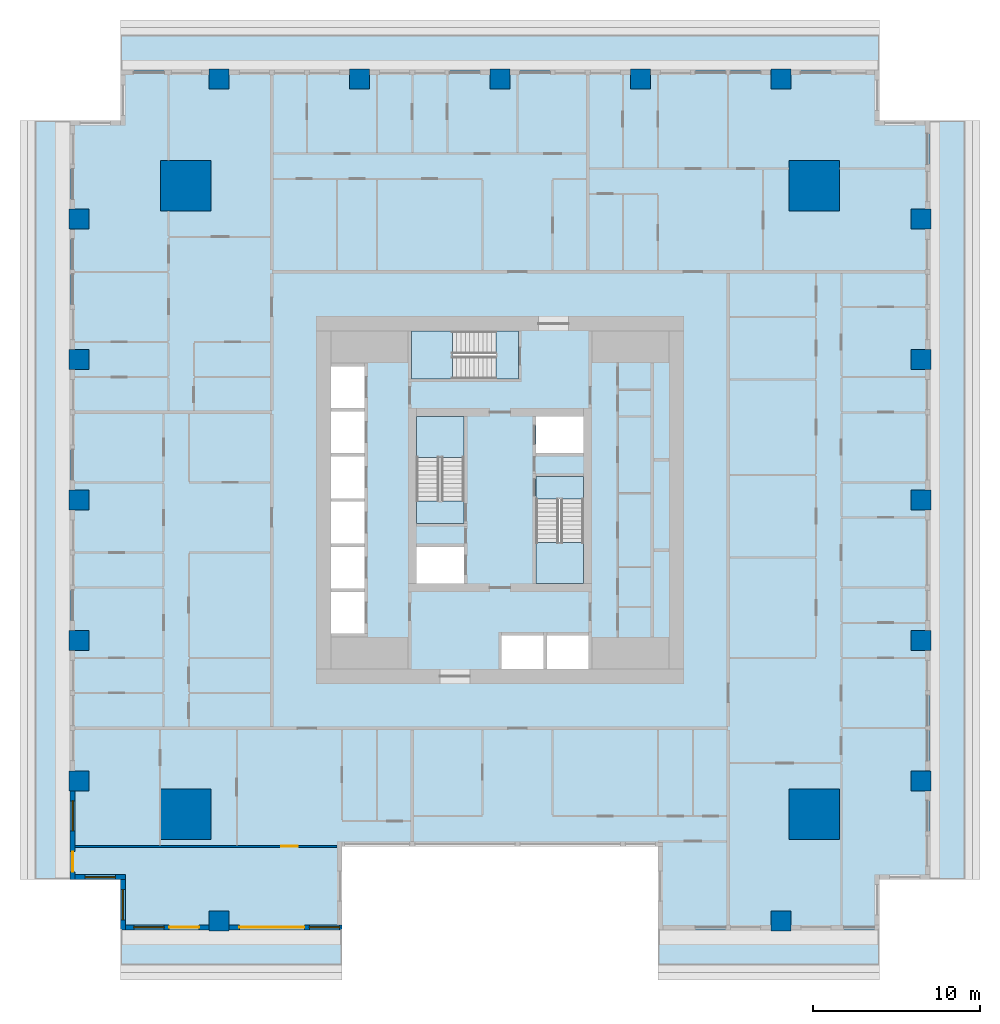
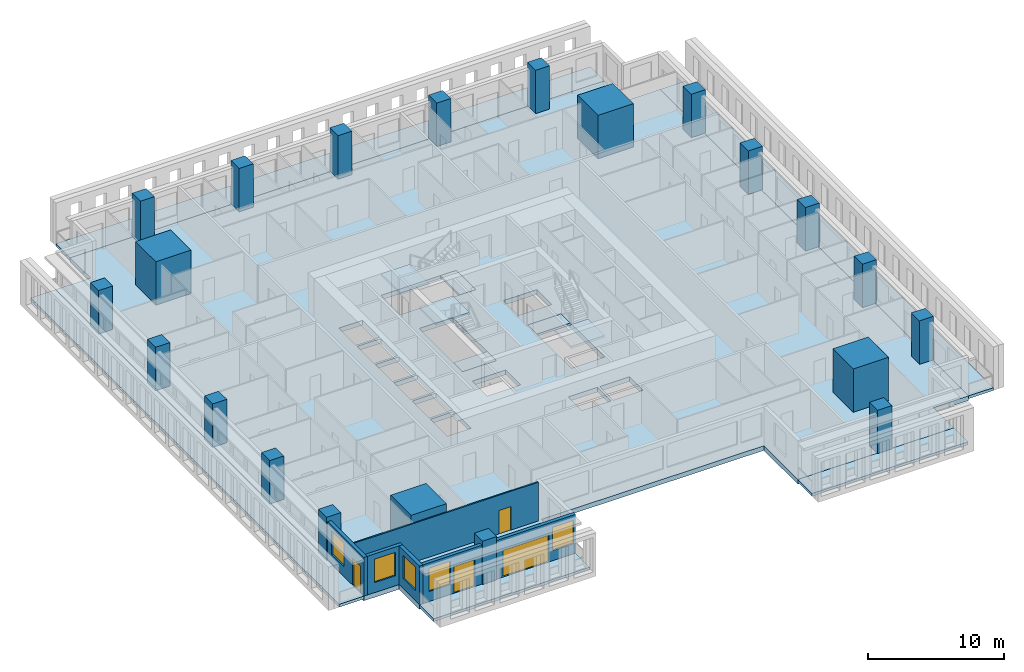
# One storey, part 1 of 15: 21 columns, 12 slabs, 6 walls, 5 windows, 4 doors, 9 openings, 3 elements without a shape of their own.
"""IFC4 building model written with IfcOpenShell, lengths in metres."""

from ifc_helpers import new_model, si_unit, direction, frame, frame_2d, origin, origin_2d, place, context, subcontext, project, spatial, polyline, rectangle, outline, extrude, material, layer, layer_set, material_profile, profile_set, type_object, element, fill, aggregate, save


model = new_model("IFC4")

# Units and contexts
model_context = context("Model", 3, precision=1e-05, world=origin(), true_north=direction((0.0, 1.0)))
body_context = subcontext(model_context, "Body", "Model", "MODEL_VIEW")
ifc_project = project(units=[si_unit("LENGTHUNIT", "METRE"), si_unit("AREAUNIT", "SQUARE_METRE"), si_unit("VOLUMEUNIT", "CUBIC_METRE"), si_unit("PLANEANGLEUNIT", "RADIAN"), si_unit("MASSUNIT", "GRAM", prefix="KILO")], contexts=[model_context])

# Site, building, storey
site_placement = place(None, origin())
site = spatial("IfcSite", under=ifc_project, at=site_placement, CompositionType="ELEMENT")
building_placement = place(site_placement, origin())
building = spatial("IfcBuilding", under=site, at=building_placement, Name="Khepri Terraces", CompositionType="ELEMENT")
storey_placement = place(building_placement, frame((0.0, 0.0, 54.300048828125)))
storey = spatial("IfcBuildingStorey", under=building, at=storey_placement, Name="L12", CompositionType="ELEMENT", Elevation=54.300048828125)

# Columns
ifc_material_1 = material(Name="Concrete C80/95", Category="concrete")
ifc_material_profile_1 = material_profile(ifc_material_1, rectangle(XDim=3.0, YDim=3.0, at=origin_2d()), Name="Concrete C80/95", Category="concrete")
ifc_profile_set_1 = profile_set([ifc_material_profile_1], Name="Concrete C80/95")
column_type_1 = type_object("IfcColumnType", Name="Mega column RC 3000x3000 C80/95", PredefinedType="COLUMN", material=ifc_profile_set_1)
for number, where, z_axis, x_axis, name in (
    (1, (18.800048828125, 18.800048828125, 0.0), (0.0, 0.0, 1.0), (1.0, 0.0, 0.0), "Mega column MEN L12"),
    (2, (18.800048828125, -18.800048828125, 0.0), (0.0, 0.0, 1.0), (1.0, 0.0, 0.0), "Mega column MES L12"),
    (3, (-18.800048828125, 18.800048828125, 0.0), (0.0, 0.0, 1.0), (1.0, 0.0, 0.0), "Mega column MWN L12"),
    (4, (-18.800048828125, -18.800048828125, 0.0), (0.0, 0.0, 1.0), (1.0, 0.0, 0.0), "Mega column MWS L12"),
):
    element("IfcColumn", number, at=place(storey_placement, frame(where, z_axis=z_axis, x_axis=x_axis)), inside=storey, type_object=column_type_1, Name=name, PredefinedType="COLUMN", context=body_context, shape_type="SweptSolid", body=[
        extrude(rectangle(XDim=3.0, YDim=3.0, at=origin_2d()), origin(), (0.0, 0.0, 1.0), 3.89990234375),
    ])
ifc_material_profile_2 = material_profile(ifc_material_1, rectangle(XDim=1.199951171875, YDim=1.199951171875, at=origin_2d()), Name="Concrete C80/95", Category="concrete")
ifc_profile_set_2 = profile_set([ifc_material_profile_2], Name="Concrete C80/95")
column_type_2 = type_object("IfcColumnType", Name="Tower column RC 1200x1200 C80/95", PredefinedType="COLUMN", material=ifc_profile_set_2)
for number, where, z_axis, x_axis, name in (
    (5, (25.199951171875, 0.0, 0.0), (0.0, 0.0, 1.0), (1.0, 0.0, 0.0), "Perimeter column PE+000a L12"),
    (6, (25.199951171875, 8.39990234375, 0.0), (0.0, 0.0, 1.0), (1.0, 0.0, 0.0), "Perimeter column PE+084a L12"),
    (7, (25.199951171875, 16.800048828125, 0.0), (0.0, 0.0, 1.0), (1.0, 0.0, 0.0), "Perimeter column PE+168a L12"),
    (8, (25.199951171875, -8.39990234375, 0.0), (0.0, 0.0, 1.0), (1.0, 0.0, 0.0), "Perimeter column PE-084a L12"),
    (9, (25.199951171875, -16.800048828125, 0.0), (0.0, 0.0, 1.0), (1.0, 0.0, 0.0), "Perimeter column PE-168a L12"),
    (10, (0.0, 25.199951171875, 0.0), (0.0, 0.0, 1.0), (1.0, 0.0, 0.0), "Perimeter column PN+000a L12"),
    (11, (-8.39990234375, 25.199951171875, 0.0), (0.0, 0.0, 1.0), (1.0, 0.0, 0.0), "Perimeter column PN+084a L12"),
    (12, (-16.800048828125, 25.199951171875, 0.0), (0.0, 0.0, 1.0), (1.0, 0.0, 0.0), "Perimeter column PN+168a L12"),
    (13, (8.39990234375, 25.199951171875, 0.0), (0.0, 0.0, 1.0), (1.0, 0.0, 0.0), "Perimeter column PN-084a L12"),
    (14, (16.800048828125, 25.199951171875, 0.0), (0.0, 0.0, 1.0), (1.0, 0.0, 0.0), "Perimeter column PN-168a L12"),
    (15, (16.800048828125, -25.199951171875, 0.0), (0.0, 0.0, 1.0), (1.0, 0.0, 0.0), "Perimeter column PS+168a L12"),
    (16, (-16.800048828125, -25.199951171875, 0.0), (0.0, 0.0, 1.0), (1.0, 0.0, 0.0), "Perimeter column PS-168a L12"),
    (17, (-25.199951171875, 0.0, 0.0), (0.0, 0.0, 1.0), (1.0, 0.0, 0.0), "Perimeter column PW+000a L12"),
    (18, (-25.199951171875, -8.39990234375, 0.0), (0.0, 0.0, 1.0), (1.0, 0.0, 0.0), "Perimeter column PW+084a L12"),
    (19, (-25.199951171875, -16.800048828125, 0.0), (0.0, 0.0, 1.0), (1.0, 0.0, 0.0), "Perimeter column PW+168a L12"),
    (20, (-25.199951171875, 8.39990234375, 0.0), (0.0, 0.0, 1.0), (1.0, 0.0, 0.0), "Perimeter column PW-084a L12"),
    (21, (-25.199951171875, 16.800048828125, 0.0), (0.0, 0.0, 1.0), (1.0, 0.0, 0.0), "Perimeter column PW-168a L12"),
):
    element("IfcColumn", number, at=place(storey_placement, frame(where, z_axis=z_axis, x_axis=x_axis)), inside=storey, type_object=column_type_2, Name=name, PredefinedType="COLUMN", context=body_context, shape_type="SweptSolid", body=[
        extrude(rectangle(XDim=1.199951171875, YDim=1.199951171875, at=origin_2d()), origin(), (0.0, 0.0, 1.0), 3.89990234375),
    ])

# Slabs
ifc_material_2 = material(Name="Concrete C40/50", Category="concrete")
ifc_layer_1 = layer(ifc_material_2, 0.419921875, Name="Concrete C40/50", Category="concrete")
ifc_layer_set_1 = layer_set([ifc_layer_1], Name="Concrete C40/50")
slab_type_1 = type_object("IfcSlabType", Name="Flat plate 420", PredefinedType="FLOOR", material=ifc_layer_set_1)
slab_1_placement = place(storey_placement, frame((0.0, 0.0, -0.420166015625)))
element("IfcSlab", 22, at=slab_1_placement, inside=storey, type_object=slab_type_1, Name="Floor slab F01 L12", PredefinedType="FLOOR", context=body_context, shape_type="SweptSolid", body=[
    extrude(outline(polyline([(22.719970703125, 22.719970703125), (25.719970703125, 22.719970703125), (25.719970703125, -22.719970703125), (22.719970703125, -22.719970703125), (22.719970703125, -25.719970703125), (9.449951171875, -25.719970703125), (9.449951171875, -20.719970703125), (-9.449951171875, -20.719970703125), (-9.449951171875, -25.719970703125), (-22.719970703125, -25.719970703125), (-22.719970703125, -22.719970703125), (-25.719970703125, -22.719970703125), (-25.719970703125, 22.719970703125), (-22.719970703125, 22.719970703125), (-22.719970703125, 25.719970703125), (22.719970703125, 25.719970703125), (22.719970703125, 22.719970703125)]), holes=[polyline([(5.0, 5.0), (2.14990234375, 5.0), (2.14990234375, 2.800048828125), (5.0, 2.800048828125), (5.0, 5.0)]), polyline([(-2.14990234375, -5.0), (-2.14990234375, -2.800048828125), (-5.0, -2.800048828125), (-5.0, -5.0), (-2.14990234375, -5.0)]), polyline([(-10.10009765625, -8.0), (-8.10009765625, -8.0), (-8.10009765625, -5.5), (-10.10009765625, -5.5), (-10.10009765625, -8.0)]), polyline([(-10.10009765625, -2.800048828125), (-10.10009765625, -5.300048828125), (-8.10009765625, -5.300048828125), (-8.10009765625, -2.800048828125), (-10.10009765625, -2.800048828125)]), polyline([(-8.10009765625, -0.10009765625), (-10.10009765625, -0.10009765625), (-10.10009765625, -2.60009765625), (-8.10009765625, -2.60009765625), (-8.10009765625, -0.10009765625)]), polyline([(-8.10009765625, 0.10009765625), (-8.10009765625, 2.60009765625), (-10.10009765625, 2.60009765625), (-10.10009765625, 0.10009765625), (-8.10009765625, 0.10009765625)]), polyline([(-10.10009765625, 2.800048828125), (-8.10009765625, 2.800048828125), (-8.10009765625, 5.300048828125), (-10.10009765625, 5.300048828125), (-10.10009765625, 2.800048828125)]), polyline([(-10.10009765625, 8.0), (-10.10009765625, 5.5), (-8.10009765625, 5.5), (-8.10009765625, 8.0), (-10.10009765625, 8.0)]), polyline([(2.60009765625, -8.10009765625), (0.10009765625, -8.10009765625), (0.10009765625, -10.10009765625), (2.60009765625, -10.10009765625), (2.60009765625, -8.10009765625)]), polyline([(5.300048828125, -10.10009765625), (5.300048828125, -8.10009765625), (2.800048828125, -8.10009765625), (2.800048828125, -10.10009765625), (5.300048828125, -10.10009765625)]), polyline([(-5.0, -1.39990234375), (-2.14990234375, -1.39990234375), (-2.14990234375, 5.0), (-5.0, 5.0), (-5.0, -1.39990234375)]), polyline([(5.0, -5.0), (5.0, 1.39990234375), (2.14990234375, 1.39990234375), (2.14990234375, -5.0), (5.0, -5.0)]), polyline([(-5.300048828125, 10.10009765625), (-5.300048828125, 7.25), (1.10009765625, 7.25), (1.10009765625, 10.10009765625), (-5.300048828125, 10.10009765625)])]), origin(), (0.0, 0.0, 1.0), 0.420166015625),
])
ifc_material_3 = material(Name="Precast concrete C50/60 warm stone", Category="masonry")
ifc_layer_2 = layer(ifc_material_3, 0.25, Name="Precast concrete C50/60 warm stone", Category="masonry")
ifc_layer_set_2 = layer_set([ifc_layer_2], Name="Precast concrete C50/60 warm stone")
slab_type_2 = type_object("IfcSlabType", Name="SLB-BALCONY-250", PredefinedType="FLOOR", material=ifc_layer_set_2)
slab_2_placement = place(storey_placement, frame((0.0, 0.0, -0.25)))
element("IfcSlab", 23, at=slab_2_placement, inside=storey, type_object=slab_type_2, Name="Balcony slab L12 S", PredefinedType="FLOOR", context=body_context, shape_type="SweptSolid", body=[
    extrude(outline(polyline([(-17.39990234375, -25.719970703125), (-22.719970703125, -25.719970703125), (-22.719970703125, -27.820068359375), (-9.449951171875, -27.820068359375), (-9.449951171875, -25.719970703125), (-16.199951171875, -25.719970703125), (-16.199951171875, -25.800048828125), (-17.39990234375, -25.800048828125), (-17.39990234375, -25.719970703125)])), origin(), (0.0, 0.0, 1.0), 0.25),
])
slab_3_placement = place(storey_placement, frame((0.0, 0.0, -0.25)))
element("IfcSlab", 24, at=slab_3_placement, inside=storey, type_object=slab_type_2, Name="Balcony slab L12 S", PredefinedType="FLOOR", context=body_context, shape_type="SweptSolid", body=[
    extrude(outline(polyline([(16.199951171875, -25.719970703125), (9.449951171875, -25.719970703125), (9.449951171875, -27.820068359375), (22.719970703125, -27.820068359375), (22.719970703125, -25.719970703125), (17.39990234375, -25.719970703125), (17.39990234375, -25.800048828125), (16.199951171875, -25.800048828125), (16.199951171875, -25.719970703125)])), origin(), (0.0, 0.0, 1.0), 0.25),
])
slab_4_placement = place(storey_placement, frame((0.0, 0.0, -0.25)))
element("IfcSlab", 25, at=slab_4_placement, inside=storey, type_object=slab_type_2, Name="Balcony slab L12 E", PredefinedType="FLOOR", context=body_context, shape_type="SweptSolid", body=[
    extrude(outline(polyline([(25.719970703125, -17.39990234375), (25.719970703125, -22.719970703125), (27.820068359375, -22.719970703125), (27.820068359375, 22.719970703125), (25.719970703125, 22.719970703125), (25.719970703125, 17.39990234375), (25.800048828125, 17.39990234375), (25.800048828125, 16.199951171875), (25.719970703125, 16.199951171875), (25.719970703125, 9.0), (25.800048828125, 9.0), (25.800048828125, 7.800048828125), (25.719970703125, 7.800048828125), (25.719970703125, 0.60009765625), (25.800048828125, 0.60009765625), (25.800048828125, -0.60009765625), (25.719970703125, -0.60009765625), (25.719970703125, -7.800048828125), (25.800048828125, -7.800048828125), (25.800048828125, -9.0), (25.719970703125, -9.0), (25.719970703125, -16.199951171875), (25.800048828125, -16.199951171875), (25.800048828125, -17.39990234375), (25.719970703125, -17.39990234375)])), origin(), (0.0, 0.0, 1.0), 0.25),
])
slab_5_placement = place(storey_placement, frame((0.0, 0.0, -0.25)))
element("IfcSlab", 26, at=slab_5_placement, inside=storey, type_object=slab_type_2, Name="Balcony slab L12 N", PredefinedType="FLOOR", context=body_context, shape_type="SweptSolid", body=[
    extrude(outline(polyline([(17.39990234375, 25.719970703125), (22.719970703125, 25.719970703125), (22.719970703125, 27.820068359375), (-22.719970703125, 27.820068359375), (-22.719970703125, 25.719970703125), (-17.39990234375, 25.719970703125), (-17.39990234375, 25.800048828125), (-16.199951171875, 25.800048828125), (-16.199951171875, 25.719970703125), (-9.0, 25.719970703125), (-9.0, 25.800048828125), (-7.800048828125, 25.800048828125), (-7.800048828125, 25.719970703125), (-0.60009765625, 25.719970703125), (-0.60009765625, 25.800048828125), (0.60009765625, 25.800048828125), (0.60009765625, 25.719970703125), (7.800048828125, 25.719970703125), (7.800048828125, 25.800048828125), (9.0, 25.800048828125), (9.0, 25.719970703125), (16.199951171875, 25.719970703125), (16.199951171875, 25.800048828125), (17.39990234375, 25.800048828125), (17.39990234375, 25.719970703125)])), origin(), (0.0, 0.0, 1.0), 0.25),
])
slab_6_placement = place(storey_placement, frame((0.0, 0.0, -0.25)))
element("IfcSlab", 27, at=slab_6_placement, inside=storey, type_object=slab_type_2, Name="Balcony slab L12 W", PredefinedType="FLOOR", context=body_context, shape_type="SweptSolid", body=[
    extrude(outline(polyline([(-25.719970703125, 17.39990234375), (-25.719970703125, 22.719970703125), (-27.820068359375, 22.719970703125), (-27.820068359375, -22.719970703125), (-25.719970703125, -22.719970703125), (-25.719970703125, -17.39990234375), (-25.800048828125, -17.39990234375), (-25.800048828125, -16.199951171875), (-25.719970703125, -16.199951171875), (-25.719970703125, -9.0), (-25.800048828125, -9.0), (-25.800048828125, -7.800048828125), (-25.719970703125, -7.800048828125), (-25.719970703125, -0.60009765625), (-25.800048828125, -0.60009765625), (-25.800048828125, 0.60009765625), (-25.719970703125, 0.60009765625), (-25.719970703125, 7.800048828125), (-25.800048828125, 7.800048828125), (-25.800048828125, 9.0), (-25.719970703125, 9.0), (-25.719970703125, 16.199951171875), (-25.800048828125, 16.199951171875), (-25.800048828125, 17.39990234375), (-25.719970703125, 17.39990234375)])), origin(), (0.0, 0.0, 1.0), 0.25),
])

# Stair, slabs
stair_type = type_object("IfcStairType", Name="STAIR-RC-22R", PredefinedType="HALF_TURN_STAIR", material=ifc_material_2)
stair_1_placement = place(storey_placement, origin())
stair_1 = element("IfcStair", 28, at=stair_1_placement, inside=storey, type_object=stair_type, Name="L12 Exit Stair ST-1", PredefinedType="HALF_TURN_STAIR")
ifc_layer_3 = layer(ifc_material_2, 0.199951171875, Name="Concrete C40/50", Category="concrete")
ifc_layer_set_3 = layer_set([ifc_layer_3], Name="Concrete C40/50")
slab_type_3 = type_object("IfcSlabType", Name="SLB-CORE-LANDING", PredefinedType="LANDING", material=ifc_layer_set_3)
slab_7_placement = place(storey_placement, frame((0.0, 0.0, -0.199951171875)))
slab_7 = element("IfcSlab", 29, at=slab_7_placement, type_object=slab_type_3, Name="ST-1 landing 1", PredefinedType="LANDING", context=body_context, shape_type="SweptSolid", body=[
    extrude(outline(polyline([(-2.14990234375, -1.39990234375), (-2.14990234375, -0.050048828125), (-5.0, -0.050048828125), (-5.0, -1.39990234375), (-2.14990234375, -1.39990234375)])), origin(), (0.0, 0.0, 1.0), 0.199951171875),
])
slab_8_placement = place(storey_placement, frame((0.0, 0.0, 1.75)))
slab_8 = element("IfcSlab", 30, at=slab_8_placement, type_object=slab_type_3, Name="ST-1 landing 2", PredefinedType="LANDING", context=body_context, shape_type="SweptSolid", body=[
    extrude(outline(polyline([(-2.14990234375, 2.550048828125), (-2.14990234375, 5.0), (-5.0, 5.0), (-5.0, 2.550048828125), (-2.14990234375, 2.550048828125)])), origin(), (0.0, 0.0, 1.0), 0.199951171875),
])
aggregate(stair_1, [slab_7, slab_8])

stair_2_placement = place(storey_placement, origin())
stair_2 = element("IfcStair", 31, at=stair_2_placement, inside=storey, type_object=stair_type, Name="L12 Exit Stair ST-2", PredefinedType="HALF_TURN_STAIR")
slab_9_placement = place(storey_placement, frame((0.0, 0.0, -0.199951171875)))
slab_9 = element("IfcSlab", 32, at=slab_9_placement, type_object=slab_type_3, Name="ST-2 landing 1", PredefinedType="LANDING", context=body_context, shape_type="SweptSolid", body=[
    extrude(outline(polyline([(2.14990234375, 1.39990234375), (2.14990234375, 0.050048828125), (5.0, 0.050048828125), (5.0, 1.39990234375), (2.14990234375, 1.39990234375)])), origin(), (0.0, 0.0, 1.0), 0.199951171875),
])
slab_10_placement = place(storey_placement, frame((0.0, 0.0, 1.75)))
slab_10 = element("IfcSlab", 33, at=slab_10_placement, type_object=slab_type_3, Name="ST-2 landing 2", PredefinedType="LANDING", context=body_context, shape_type="SweptSolid", body=[
    extrude(outline(polyline([(2.14990234375, -2.550048828125), (2.14990234375, -5.0), (5.0, -5.0), (5.0, -2.550048828125), (2.14990234375, -2.550048828125)])), origin(), (0.0, 0.0, 1.0), 0.199951171875),
])
aggregate(stair_2, [slab_9, slab_10])

stair_3_placement = place(storey_placement, origin())
stair_3 = element("IfcStair", 34, at=stair_3_placement, inside=storey, type_object=stair_type, Name="L12 Exit Stair ST-3", PredefinedType="HALF_TURN_STAIR")
slab_11_placement = place(storey_placement, frame((0.0, 0.0, -0.199951171875)))
slab_11 = element("IfcSlab", 35, at=slab_11_placement, type_object=slab_type_3, Name="ST-3 landing 1", PredefinedType="LANDING", context=body_context, shape_type="SweptSolid", body=[
    extrude(outline(polyline([(1.10009765625, 10.10009765625), (-0.25, 10.10009765625), (-0.25, 7.25), (1.10009765625, 7.25), (1.10009765625, 10.10009765625)])), origin(), (0.0, 0.0, 1.0), 0.199951171875),
])
slab_12_placement = place(storey_placement, frame((0.0, 0.0, 1.75)))
slab_12 = element("IfcSlab", 36, at=slab_12_placement, type_object=slab_type_3, Name="ST-3 landing 2", PredefinedType="LANDING", context=body_context, shape_type="SweptSolid", body=[
    extrude(outline(polyline([(-2.85009765625, 10.10009765625), (-5.300048828125, 10.10009765625), (-5.300048828125, 7.25), (-2.85009765625, 7.25), (-2.85009765625, 10.10009765625)])), origin(), (0.0, 0.0, 1.0), 0.199951171875),
])
aggregate(stair_3, [slab_11, slab_12])

# Wall, openings, door, window
ifc_layer_4 = layer(ifc_material_3, 0.300048828125, Name="Precast concrete C50/60 warm stone", Category="masonry")
ifc_layer_set_4 = layer_set([ifc_layer_4], Name="Precast concrete C50/60 warm stone")
wall_type_1 = type_object("IfcWallType", Name="WL-EXT-PRECAST-300", PredefinedType="STANDARD", material=ifc_layer_set_4)
wall_1_placement = place(storey_placement, frame((-25.570068359375, -17.39990234375, 0.0), z_axis=(0.0, 0.0, 1.0), x_axis=(0.0, -1.0, 0.0)))
wall_1 = element("IfcWall", 37, at=wall_1_placement, inside=storey, type_object=wall_type_1, Name="External wall L12 W", PredefinedType="STANDARD", context=body_context, shape_type="SweptSolid", body=[
    extrude(rectangle(XDim=5.320068359375, YDim=0.300048828125, at=frame_2d((2.66015625, 0.0))), origin(), (0.0, 0.0, 1.0), 3.47998046875),
])
opening_1_placement = place(wall_1_placement, frame((0.60009765625, 0.0, 0.89990234375)))
opening_1 = element("IfcOpeningElement", 38, at=opening_1_placement, cuts=wall_1, Name="Opening W1", PredefinedType="OPENING", context=body_context, shape_type="SweptSolid", body=[
    extrude(rectangle(XDim=1.800048828125, YDim=2.10009765625, at=frame_2d((0.89990234375, 1.050048828125))), frame((0.0, 0.16015625, 0.0), z_axis=(0.0, -1.0, 0.0), x_axis=(1.0, 0.0, 0.0)), (0.0, 0.0, 1.0), 0.320068359375),
])
opening_2_placement = place(wall_1_placement, frame((3.64501953125, 0.0, 0.0)))
opening_2 = element("IfcOpeningElement", 39, at=opening_2_placement, cuts=wall_1, Name="Opening ED-L12-16", PredefinedType="OPENING", context=body_context, shape_type="SweptSolid", body=[
    extrude(rectangle(XDim=1.199951171875, YDim=2.39990234375, at=frame_2d((0.60009765625, 1.199951171875))), frame((0.0, 0.16015625, 0.0), z_axis=(0.0, -1.0, 0.0), x_axis=(1.0, 0.0, 0.0)), (0.0, 0.0, 1.0), 0.320068359375),
])
ifc_material_4 = material(Name="Anodised aluminium bronze glazed door", Category="aluminium")
door_type_1 = type_object("IfcDoorType", Name="DR-BAL-SLIDE-1200x2400", OperationType="NOTDEFINED", PredefinedType="DOOR", material=ifc_material_4)
door_1_placement = place(opening_2_placement, origin())
door_1 = element("IfcDoor", 40, at=door_1_placement, inside=storey, type_object=door_type_1, Name="Balcony door L12 W", OperationType="SLIDING_TO_RIGHT", OverallHeight=2.39990234375, OverallWidth=1.199951171875, PredefinedType="DOOR", context=body_context, shape_type="SweptSolid", body=[
    extrude(rectangle(XDim=1.199951171875, YDim=2.39990234375, at=frame_2d((0.60009765625, 1.199951171875))), frame((0.0, 0.02490234375, 0.0), z_axis=(0.0, -1.0, 0.0), x_axis=(1.0, 0.0, 0.0)), (0.0, 0.0, 1.0), 0.050048828125),
])
fill(opening_2, door_1)
ifc_material_5 = material(Name="Clear glass", Category="glass")
window_type = type_object("IfcWindowType", Name="WIN-RES-1800x2100", PartitioningType="SINGLE_PANEL", PredefinedType="WINDOW", material=ifc_material_5)
window_1_placement = place(opening_1_placement, origin())
window_1 = element("IfcWindow", 41, at=window_1_placement, inside=storey, type_object=window_type, Name="Window L12 W", OverallHeight=2.10009765625, OverallWidth=1.800048828125, PartitioningType="SINGLE_PANEL", PredefinedType="WINDOW", context=body_context, shape_type="SweptSolid", body=[
    extrude(rectangle(XDim=1.800048828125, YDim=2.10009765625, at=frame_2d((0.89990234375, 1.050048828125))), frame((0.0, 0.030029296875, 0.0), z_axis=(0.0, -1.0, 0.0), x_axis=(1.0, 0.0, 0.0)), (0.0, 0.0, 1.0), 0.06005859375),
])
fill(opening_1, window_1)

# Wall, opening, window
wall_2_placement = place(storey_placement, frame((-25.419921875, -22.570068359375, 0.0), z_axis=(0.0, 0.0, 1.0), x_axis=(1.0, 0.0, 0.0)))
wall_2 = element("IfcWall", 42, at=wall_2_placement, inside=storey, type_object=wall_type_1, Name="External wall L12 S", PredefinedType="STANDARD", context=body_context, shape_type="SweptSolid", body=[
    extrude(rectangle(XDim=3.0, YDim=0.300048828125, at=frame_2d((1.5, 0.0))), origin(), (0.0, 0.0, 1.0), 3.47998046875),
])
opening_3_placement = place(wall_2_placement, frame((0.60009765625, 0.0, 0.89990234375)))
opening_3 = element("IfcOpeningElement", 43, at=opening_3_placement, cuts=wall_2, Name="Opening W1", PredefinedType="OPENING", context=body_context, shape_type="SweptSolid", body=[
    extrude(rectangle(XDim=1.800048828125, YDim=2.10009765625, at=frame_2d((0.89990234375, 1.050048828125))), frame((0.0, 0.16015625, 0.0), z_axis=(0.0, -1.0, 0.0), x_axis=(1.0, 0.0, 0.0)), (0.0, 0.0, 1.0), 0.320068359375),
])
window_2_placement = place(opening_3_placement, origin())
window_2 = element("IfcWindow", 44, at=window_2_placement, inside=storey, type_object=window_type, Name="Window L12 S", OverallHeight=2.10009765625, OverallWidth=1.800048828125, PartitioningType="SINGLE_PANEL", PredefinedType="WINDOW", context=body_context, shape_type="SweptSolid", body=[
    extrude(rectangle(XDim=1.800048828125, YDim=2.10009765625, at=frame_2d((0.89990234375, 1.050048828125))), frame((0.0, 0.030029296875, 0.0), z_axis=(0.0, -1.0, 0.0), x_axis=(1.0, 0.0, 0.0)), (0.0, 0.0, 1.0), 0.06005859375),
])
fill(opening_3, window_2)

wall_3_placement = place(storey_placement, frame((-22.570068359375, -22.719970703125, 0.0), z_axis=(0.0, 0.0, 1.0), x_axis=(0.0, -1.0, 0.0)))
wall_3 = element("IfcWall", 45, at=wall_3_placement, inside=storey, type_object=wall_type_1, Name="External wall L12 W", PredefinedType="STANDARD", context=body_context, shape_type="SweptSolid", body=[
    extrude(rectangle(XDim=3.0, YDim=0.300048828125, at=frame_2d((1.5, 0.0))), origin(), (0.0, 0.0, 1.0), 3.47998046875),
])
opening_4_placement = place(wall_3_placement, frame((0.60009765625, 0.0, 0.89990234375)))
opening_4 = element("IfcOpeningElement", 46, at=opening_4_placement, cuts=wall_3, Name="Opening W1", PredefinedType="OPENING", context=body_context, shape_type="SweptSolid", body=[
    extrude(rectangle(XDim=1.800048828125, YDim=2.10009765625, at=frame_2d((0.89990234375, 1.050048828125))), frame((0.0, 0.16015625, 0.0), z_axis=(0.0, -1.0, 0.0), x_axis=(1.0, 0.0, 0.0)), (0.0, 0.0, 1.0), 0.320068359375),
])
window_3_placement = place(opening_4_placement, origin())
window_3 = element("IfcWindow", 47, at=window_3_placement, inside=storey, type_object=window_type, Name="Window L12 W", OverallHeight=2.10009765625, OverallWidth=1.800048828125, PartitioningType="SINGLE_PANEL", PredefinedType="WINDOW", context=body_context, shape_type="SweptSolid", body=[
    extrude(rectangle(XDim=1.800048828125, YDim=2.10009765625, at=frame_2d((0.89990234375, 1.050048828125))), frame((0.0, 0.030029296875, 0.0), z_axis=(0.0, -1.0, 0.0), x_axis=(1.0, 0.0, 0.0)), (0.0, 0.0, 1.0), 0.06005859375),
])
fill(opening_4, window_3)

# Wall, openings, door, window
wall_4_placement = place(storey_placement, frame((-22.419921875, -25.570068359375, 0.0), z_axis=(0.0, 0.0, 1.0), x_axis=(1.0, 0.0, 0.0)))
wall_4 = element("IfcWall", 48, at=wall_4_placement, inside=storey, type_object=wall_type_1, Name="External wall L12 S", PredefinedType="STANDARD", context=body_context, shape_type="SweptSolid", body=[
    extrude(rectangle(XDim=5.02001953125, YDim=0.300048828125, at=frame_2d((2.510009765625, 0.0))), origin(), (0.0, 0.0, 1.0), 3.47998046875),
])
opening_5_placement = place(wall_4_placement, frame((0.52001953125, 0.0, 0.89990234375)))
opening_5 = element("IfcOpeningElement", 49, at=opening_5_placement, cuts=wall_4, Name="Opening W1", PredefinedType="OPENING", context=body_context, shape_type="SweptSolid", body=[
    extrude(rectangle(XDim=1.800048828125, YDim=2.10009765625, at=frame_2d((0.89990234375, 1.050048828125))), frame((0.0, 0.16015625, 0.0), z_axis=(0.0, -1.0, 0.0), x_axis=(1.0, 0.0, 0.0)), (0.0, 0.0, 1.0), 0.320068359375),
])
opening_6_placement = place(wall_4_placement, frame((2.6201171875, 0.0, 0.0)))
opening_6 = element("IfcOpeningElement", 50, at=opening_6_placement, cuts=wall_4, Name="Opening ED-L12-17", PredefinedType="OPENING", context=body_context, shape_type="SweptSolid", body=[
    extrude(rectangle(XDim=1.800048828125, YDim=2.39990234375, at=frame_2d((0.89990234375, 1.199951171875))), frame((0.0, 0.16015625, 0.0), z_axis=(0.0, -1.0, 0.0), x_axis=(1.0, 0.0, 0.0)), (0.0, 0.0, 1.0), 0.320068359375),
])
door_type_2 = type_object("IfcDoorType", Name="DR-BAL-SLIDE-1800x2400", OperationType="NOTDEFINED", PredefinedType="DOOR", material=ifc_material_4)
door_2_placement = place(opening_6_placement, origin())
door_2 = element("IfcDoor", 51, at=door_2_placement, inside=storey, type_object=door_type_2, Name="Balcony door L12 S", OperationType="SLIDING_TO_RIGHT", OverallHeight=2.39990234375, OverallWidth=1.800048828125, PredefinedType="DOOR", context=body_context, shape_type="SweptSolid", body=[
    extrude(rectangle(XDim=1.800048828125, YDim=2.39990234375, at=frame_2d((0.89990234375, 1.199951171875))), frame((0.0, 0.02490234375, 0.0), z_axis=(0.0, -1.0, 0.0), x_axis=(1.0, 0.0, 0.0)), (0.0, 0.0, 1.0), 0.050048828125),
])
fill(opening_6, door_2)
window_4_placement = place(opening_5_placement, origin())
window_4 = element("IfcWindow", 52, at=window_4_placement, inside=storey, type_object=window_type, Name="Window L12 S", OverallHeight=2.10009765625, OverallWidth=1.800048828125, PartitioningType="SINGLE_PANEL", PredefinedType="WINDOW", context=body_context, shape_type="SweptSolid", body=[
    extrude(rectangle(XDim=1.800048828125, YDim=2.10009765625, at=frame_2d((0.89990234375, 1.050048828125))), frame((0.0, 0.030029296875, 0.0), z_axis=(0.0, -1.0, 0.0), x_axis=(1.0, 0.0, 0.0)), (0.0, 0.0, 1.0), 0.06005859375),
])
fill(opening_5, window_4)

wall_5_placement = place(storey_placement, frame((-16.199951171875, -25.570068359375, 0.0), z_axis=(0.0, 0.0, 1.0), x_axis=(1.0, 0.0, 0.0)))
wall_5 = element("IfcWall", 53, at=wall_5_placement, inside=storey, type_object=wall_type_1, Name="External wall L12 S", PredefinedType="STANDARD", context=body_context, shape_type="SweptSolid", body=[
    extrude(rectangle(XDim=6.75, YDim=0.300048828125, at=frame_2d((3.375, 0.0))), origin(), (0.0, 0.0, 1.0), 3.47998046875),
])
opening_7_placement = place(wall_5_placement, frame((0.60009765625, 0.0, 0.0)))
opening_7 = element("IfcOpeningElement", 54, at=opening_7_placement, cuts=wall_5, Name="Opening ED-L12-18", PredefinedType="OPENING", context=body_context, shape_type="SweptSolid", body=[
    extrude(rectangle(XDim=3.89990234375, YDim=2.39990234375, at=frame_2d((1.949951171875, 1.199951171875))), frame((0.0, 0.16015625, 0.0), z_axis=(0.0, -1.0, 0.0), x_axis=(1.0, 0.0, 0.0)), (0.0, 0.0, 1.0), 0.320068359375),
])
opening_8_placement = place(wall_5_placement, frame((4.800048828125, 0.0, 0.89990234375)))
opening_8 = element("IfcOpeningElement", 55, at=opening_8_placement, cuts=wall_5, Name="Opening W1", PredefinedType="OPENING", context=body_context, shape_type="SweptSolid", body=[
    extrude(rectangle(XDim=1.800048828125, YDim=2.10009765625, at=frame_2d((0.89990234375, 1.050048828125))), frame((0.0, 0.16015625, 0.0), z_axis=(0.0, -1.0, 0.0), x_axis=(1.0, 0.0, 0.0)), (0.0, 0.0, 1.0), 0.320068359375),
])
door_type_3 = type_object("IfcDoorType", Name="DR-BAL-SLIDE-3900x2400", OperationType="NOTDEFINED", PredefinedType="DOOR", material=ifc_material_4)
door_3_placement = place(opening_7_placement, origin())
door_3 = element("IfcDoor", 56, at=door_3_placement, inside=storey, type_object=door_type_3, Name="Balcony door L12 S", OperationType="SLIDING_TO_LEFT", OverallHeight=2.39990234375, OverallWidth=3.89990234375, PredefinedType="DOOR", context=body_context, shape_type="SweptSolid", body=[
    extrude(rectangle(XDim=3.89990234375, YDim=2.39990234375, at=frame_2d((1.949951171875, 1.199951171875))), frame((0.0, 0.02490234375, 0.0), z_axis=(0.0, -1.0, 0.0), x_axis=(1.0, 0.0, 0.0)), (0.0, 0.0, 1.0), 0.050048828125),
])
fill(opening_7, door_3)
window_5_placement = place(opening_8_placement, origin())
window_5 = element("IfcWindow", 57, at=window_5_placement, inside=storey, type_object=window_type, Name="Window L12 S", OverallHeight=2.10009765625, OverallWidth=1.800048828125, PartitioningType="SINGLE_PANEL", PredefinedType="WINDOW", context=body_context, shape_type="SweptSolid", body=[
    extrude(rectangle(XDim=1.800048828125, YDim=2.10009765625, at=frame_2d((0.89990234375, 1.050048828125))), frame((0.0, 0.030029296875, 0.0), z_axis=(0.0, -1.0, 0.0), x_axis=(1.0, 0.0, 0.0)), (0.0, 0.0, 1.0), 0.06005859375),
])
fill(opening_8, window_5)

# Wall, opening, door
ifc_material_6 = material(Name="Gypsum plasterboard partition")
ifc_layer_5 = layer(ifc_material_6, 0.1201171875, Name="Gypsum plasterboard partition")
ifc_layer_set_5 = layer_set([ifc_layer_5], Name="Gypsum plasterboard partition")
wall_type_2 = type_object("IfcWallType", Name="WL-PART-120", PredefinedType="PARTITIONING", material=ifc_layer_set_5)
wall_6_placement = place(storey_placement, frame((-25.419921875, -20.719970703125, 0.0), z_axis=(0.0, 0.0, 1.0), x_axis=(1.0, 0.0, 0.0)))
wall_6 = element("IfcWall", 58, at=wall_6_placement, inside=storey, type_object=wall_type_2, Name="Partition P-003 L12", PredefinedType="PARTITIONING", context=body_context, shape_type="SweptSolid", body=[
    extrude(rectangle(XDim=15.669921875, YDim=0.1201171875, at=frame_2d((7.8349609375, 0.0))), origin(), (0.0, 0.0, 1.0), 3.47998046875),
])
opening_9_placement = place(wall_6_placement, frame((12.320068359375, 0.0, 0.0)))
opening_9 = element("IfcOpeningElement", 59, at=opening_9_placement, cuts=wall_6, Name="Opening D2", PredefinedType="OPENING", context=body_context, shape_type="SweptSolid", body=[
    extrude(rectangle(XDim=1.0, YDim=2.10009765625, at=frame_2d((0.5, 1.050048828125))), frame((0.0, 0.070068359375, 0.0), z_axis=(0.0, -1.0, 0.0), x_axis=(1.0, 0.0, 0.0)), (0.0, 0.0, 1.0), 0.14013671875),
])
ifc_material_7 = material(Name="Timber door leaf, living room door", Category="wood")
door_type_4 = type_object("IfcDoorType", Name="DR-INT-1000", OperationType="NOTDEFINED", PredefinedType="DOOR", material=ifc_material_7)
door_4_placement = place(opening_9_placement, frame((1.0, 0.0, 0.0), z_axis=(0.0, 0.0, 1.0), x_axis=(-1.0, 0.0, 0.0)))
door_4 = element("IfcDoor", 60, at=door_4_placement, inside=storey, type_object=door_type_4, Name="Door Living Room", OperationType="SINGLE_SWING_LEFT", OverallHeight=2.10009765625, OverallWidth=1.0, PredefinedType="DOOR", context=body_context, shape_type="SweptSolid", body=[
    extrude(rectangle(XDim=1.0, YDim=2.10009765625, at=frame_2d((0.5, 1.050048828125))), frame((0.0, 0.02490234375, 0.0), z_axis=(0.0, -1.0, 0.0), x_axis=(1.0, 0.0, 0.0)), (0.0, 0.0, 1.0), 0.050048828125),
])
fill(opening_9, door_4)

save(model, "model.ifc")
